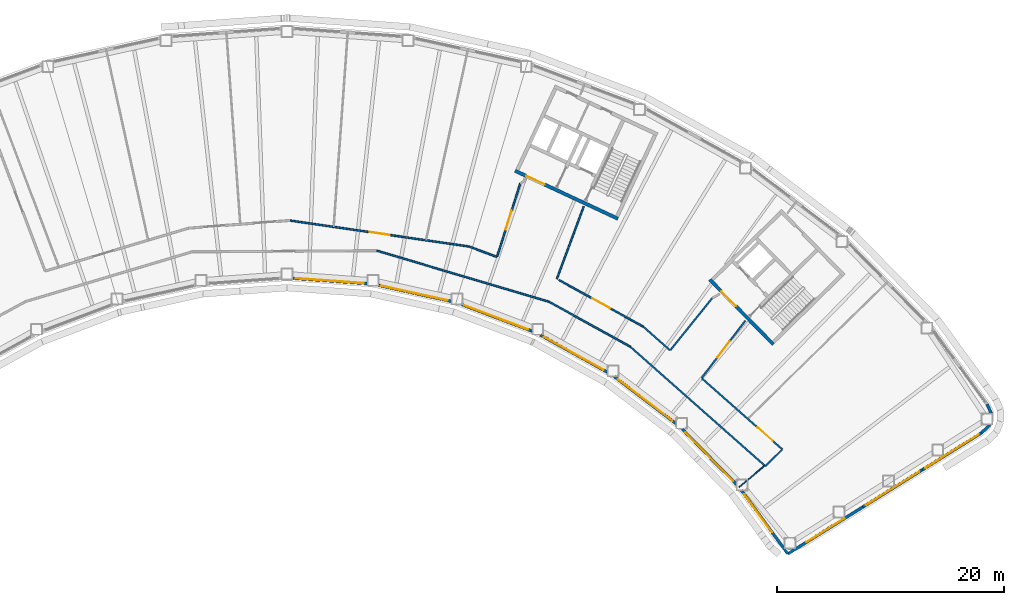
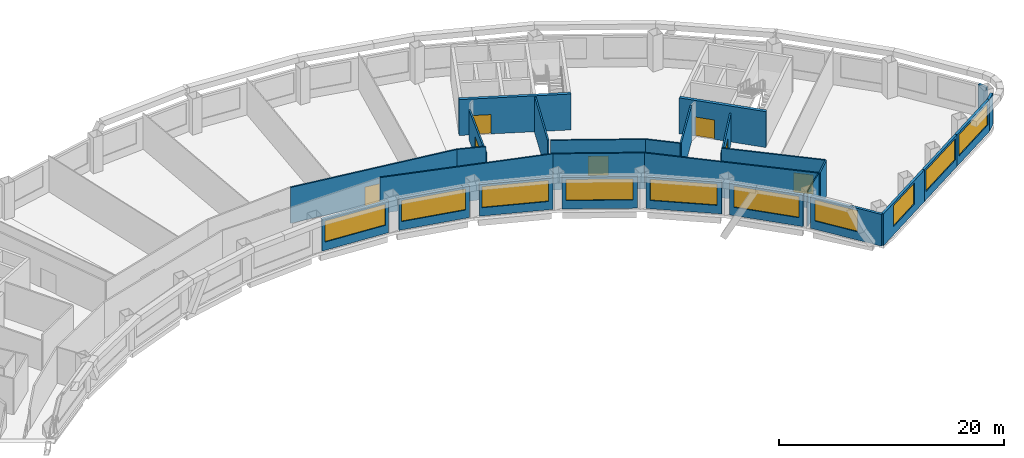
# One storey, part 6 of 11: 28 walls, 10 windows, 7 doors, 17 openings.
"""IFC4 building model written with IfcOpenShell, lengths in metres."""

from ifc_helpers import new_model, si_unit, direction, frame, frame_2d, origin, place, context, subcontext, project, spatial, rectangle, extrude, material, layer, layer_set, type_object, element, fill, save


model = new_model("IFC4")

# Units and contexts
model_context = context("Model", 3, precision=1e-05, world=origin(), true_north=direction((0.0, 1.0)))
body_context = subcontext(model_context, "Body", "Model", "MODEL_VIEW")
ifc_project = project(units=[si_unit("LENGTHUNIT", "METRE"), si_unit("AREAUNIT", "SQUARE_METRE"), si_unit("VOLUMEUNIT", "CUBIC_METRE"), si_unit("PLANEANGLEUNIT", "RADIAN"), si_unit("MASSUNIT", "GRAM", prefix="KILO")], contexts=[model_context])

# Site, building, storey
site_placement = place(None, origin())
site = spatial("IfcSite", under=ifc_project, at=site_placement, CompositionType="ELEMENT")
building_placement = place(site_placement, origin())
building = spatial("IfcBuilding", under=site, at=building_placement, Name="Tuul Gate Civic Tower", CompositionType="ELEMENT")
storey_placement = place(building_placement, frame((0.0, 0.0, 159.199951171875)))
storey = spatial("IfcBuildingStorey", under=building, at=storey_placement, Name="Level 36", CompositionType="ELEMENT", Elevation=159.199951171875)

# Wall, opening, door
ifc_material_1 = material(Name="Concrete C50/60", Category="concrete")
ifc_layer_1 = layer(ifc_material_1, 0.300048828125)
ifc_layer_set_1 = layer_set([ifc_layer_1], Name="Concrete C50/60")
wall_type_1 = type_object("IfcWallType", Name="Core wall C50/60", PredefinedType="SHEAR", material=ifc_layer_set_1)
wall_1_placement = place(storey_placement, frame((48.22509765625, -18.327880859375, 0.0), z_axis=(0.0, 0.0, 1.0), x_axis=(-0.700021979774, 0.714121297703, 0.0)))
wall_1 = element("IfcWall", 1, at=wall_1_placement, inside=storey, type_object=wall_type_1, Name="Core wall", PredefinedType="SHEAR", context=body_context, shape_type="SweptSolid", body=[
    extrude(rectangle(XDim=8.0, YDim=0.300048828125, at=frame_2d((4.0, 0.0))), origin(), (0.0, 0.0, 1.0), 3.900146484375),
])
opening_1_placement = place(wall_1_placement, frame((4.72509765625, 0.0, 0.0)))
opening_1 = element("IfcOpeningElement", 2, at=opening_1_placement, cuts=wall_1, Name="Opening LB-E1-LOBBY-1", PredefinedType="OPENING", context=body_context, shape_type="SweptSolid", body=[
    extrude(rectangle(XDim=1.800048828125, YDim=2.10009765625, at=frame_2d((0.89990234375, 1.050048828125))), frame((0.0, 0.16015625, 0.0), z_axis=(0.0, -1.0, 0.0), x_axis=(1.0, 0.0, 0.0)), (0.0, 0.0, 1.0), 0.320068359375),
])
ifc_material_2 = material(Name="Steel", Category="steel")
door_type_1 = type_object("IfcDoorType", Name="Lobby door", OperationType="DOUBLE_DOOR_SINGLE_SWING", PredefinedType="DOOR", material=ifc_material_2)
door_1_placement = place(opening_1_placement, frame((1.800048828125, 0.0, 0.0), z_axis=(0.0, 0.0, 1.0), x_axis=(-1.0, 0.0, 0.0)))
door_1 = element("IfcDoor", 3, at=door_1_placement, inside=storey, type_object=door_type_1, Name="Lobby door E1-LOBBY", OperationType="DOUBLE_DOOR_SINGLE_SWING", OverallHeight=2.10009765625, OverallWidth=1.800048828125, PredefinedType="DOOR", context=body_context, shape_type="SweptSolid", body=[
    extrude(rectangle(XDim=1.800048828125, YDim=2.10009765625, at=frame_2d((0.900146484375, 1.050048828125))), frame((0.0, 0.02490234375, 0.0), z_axis=(0.0, -1.0, 0.0), x_axis=(1.0, 0.0, 0.0)), (0.0, 0.0, 1.0), 0.050048828125),
])
fill(opening_1, door_1)

wall_2_placement = place(storey_placement, frame((34.5283203125, -7.25, 0.0), z_axis=(0.0, 0.0, 1.0), x_axis=(-0.906310338845, 0.422612789327, 0.0)))
wall_2 = element("IfcWall", 4, at=wall_2_placement, inside=storey, type_object=wall_type_1, Name="Core wall", PredefinedType="SHEAR", context=body_context, shape_type="SweptSolid", body=[
    extrude(rectangle(XDim=9.999755859375, YDim=0.300048828125, at=frame_2d((5.0, 0.0))), origin(), (0.0, 0.0, 1.0), 3.900146484375),
])
opening_2_placement = place(wall_2_placement, frame((7.125, 0.0, 0.0)))
opening_2 = element("IfcOpeningElement", 5, at=opening_2_placement, cuts=wall_2, Name="Opening LB-E3-LOBBY-1", PredefinedType="OPENING", context=body_context, shape_type="SweptSolid", body=[
    extrude(rectangle(XDim=1.800048828125, YDim=2.10009765625, at=frame_2d((0.89990234375, 1.050048828125))), frame((0.0, 0.16015625, 0.0), z_axis=(0.0, -1.0, 0.0), x_axis=(1.0, 0.0, 0.0)), (0.0, 0.0, 1.0), 0.320068359375),
])
door_2_placement = place(opening_2_placement, frame((1.800048828125, 0.0, 0.0), z_axis=(0.0, 0.0, 1.0), x_axis=(-1.0, 0.0, 0.0)))
door_2 = element("IfcDoor", 6, at=door_2_placement, inside=storey, type_object=door_type_1, Name="Lobby door E3-LOBBY", OperationType="DOUBLE_DOOR_SINGLE_SWING", OverallHeight=2.10009765625, OverallWidth=1.800048828125, PredefinedType="DOOR", context=body_context, shape_type="SweptSolid", body=[
    extrude(rectangle(XDim=1.800048828125, YDim=2.10009765625, at=frame_2d((0.900146484375, 1.050048828125))), frame((0.0, 0.02490234375, 0.0), z_axis=(0.0, -1.0, 0.0), x_axis=(1.0, 0.0, 0.0)), (0.0, 0.0, 1.0), 0.050048828125),
])
fill(opening_2, door_2)

# Walls
ifc_material_3 = material(Name="Gypsum board partition")
ifc_layer_2 = layer(ifc_material_3, 0.14990234375)
ifc_layer_set_2 = layer_set([ifc_layer_2], Name="Gypsum board partition")
wall_type_2 = type_object("IfcWallType", Name="Corridor wall P150", PredefinedType="PARTITIONING", material=ifc_layer_set_2)
wall_3_placement = place(storey_placement, frame((35.603759765625, -18.517578125, 0.0), z_axis=(0.0, 0.0, 1.0), x_axis=(0.749292763944, -0.662238894887, 0.0)))
element("IfcWall", 7, at=wall_3_placement, inside=storey, type_object=wall_type_2, Name="p003", PredefinedType="PARTITIONING", context=body_context, shape_type="SweptSolid", body=[
    extrude(rectangle(XDim=15.9013671875, YDim=0.14990234375, at=frame_2d((7.95068359375, 0.0))), origin(), (0.0, 0.0, 1.0), 3.900146484375),
])
wall_4_placement = place(storey_placement, frame((47.5185546875, -29.048095703125, 0.0), z_axis=(0.0, 0.0, 1.0), x_axis=(0.71162637718, 0.702558110978, 0.0)))
element("IfcWall", 8, at=wall_4_placement, inside=storey, type_object=wall_type_2, Name="p004", PredefinedType="PARTITIONING", context=body_context, shape_type="SweptSolid", body=[
    extrude(rectangle(XDim=2.099853515625, YDim=0.14990234375, at=frame_2d((1.0498046875, 0.0))), origin(), (0.0, 0.0, 1.0), 3.900146484375),
])
wall_5_placement = place(storey_placement, frame((36.755615234375, -16.755126953125, 0.0), z_axis=(0.0, 0.0, 1.0), x_axis=(0.749728970653, -0.661745019297, 0.0)))
element("IfcWall", 9, at=wall_5_placement, inside=storey, type_object=wall_type_2, Name="p005", PredefinedType="PARTITIONING", context=body_context, shape_type="SweptSolid", body=[
    extrude(rectangle(XDim=3.14111328125, YDim=0.14990234375, at=frame_2d((1.570556640625, 0.0))), origin(), (0.0, 0.0, 1.0), 3.900146484375),
])

# Wall, opening, door
wall_6_placement = place(storey_placement, frame((41.91015625, -21.30419921875, 0.0), z_axis=(0.0, 0.0, 1.0), x_axis=(0.74976489893, -0.661704311859, 0.0)))
wall_6 = element("IfcWall", 10, at=wall_6_placement, inside=storey, type_object=wall_type_2, Name="p006", PredefinedType="PARTITIONING", context=body_context, shape_type="SweptSolid", body=[
    extrude(rectangle(XDim=9.473388671875, YDim=0.14990234375, at=frame_2d((4.73681640625, 0.0))), origin(), (0.0, 0.0, 1.0), 3.900146484375),
])
opening_3_placement = place(wall_6_placement, frame((6.538818359375, 0.0, 0.0)))
opening_3 = element("IfcOpeningElement", 11, at=opening_3_placement, cuts=wall_6, Name="Opening M-D01", PredefinedType="OPENING", context=body_context, shape_type="SweptSolid", body=[
    extrude(rectangle(XDim=1.800048828125, YDim=2.10009765625, at=frame_2d((0.89990234375, 1.050048828125))), frame((0.0, 0.0849609375, 0.0), z_axis=(0.0, -1.0, 0.0), x_axis=(1.0, 0.0, 0.0)), (0.0, 0.0, 1.0), 0.169921875),
])
ifc_material_4 = material(Name="Timber door leaf, double", Category="wood")
door_type_2 = type_object("IfcDoorType", Name="Door D18", OperationType="DOUBLE_DOOR_SINGLE_SWING", PredefinedType="DOOR", material=ifc_material_4)
door_3_placement = place(opening_3_placement, origin())
door_3 = element("IfcDoor", 12, at=door_3_placement, inside=storey, type_object=door_type_2, Name="Door M-D01", OperationType="DOUBLE_DOOR_SINGLE_SWING", OverallHeight=2.10009765625, OverallWidth=1.800048828125, PredefinedType="DOOR", context=body_context, shape_type="SweptSolid", body=[
    extrude(rectangle(XDim=1.800048828125, YDim=2.10009765625, at=frame_2d((0.89990234375, 1.050048828125))), frame((0.0, 0.02490234375, 0.0), z_axis=(0.0, -1.0, 0.0), x_axis=(1.0, 0.0, 0.0)), (0.0, 0.0, 1.0), 0.050048828125),
])
fill(opening_3, door_3)

# Walls
wall_7_placement = place(storey_placement, frame((21.3896484375, -9.6923828125, 0.0), z_axis=(0.0, 0.0, 1.0), x_axis=(0.937205585991, -0.34877742127, 0.0)))
element("IfcWall", 13, at=wall_7_placement, inside=storey, type_object=wall_type_2, Name="p010", PredefinedType="PARTITIONING", context=body_context, shape_type="SweptSolid", body=[
    extrude(rectangle(XDim=2.624267578125, YDim=0.14990234375, at=frame_2d((1.31201171875, 0.0))), origin(), (0.0, 0.0, 1.0), 3.900146484375),
])
wall_8_placement = place(storey_placement, frame((29.14208984375, -12.554931640625, 0.0), z_axis=(0.0, 0.0, 1.0), x_axis=(0.348381961378, 0.937352659881, 0.0)))
element("IfcWall", 14, at=wall_8_placement, inside=storey, type_object=wall_type_2, Name="p011", PredefinedType="PARTITIONING", context=body_context, shape_type="SweptSolid", body=[
    extrude(rectangle(XDim=6.805908203125, YDim=0.14990234375, at=frame_2d((3.40283203125, 0.0))), origin(), (0.0, 0.0, 1.0), 3.900146484375),
])
wall_9_placement = place(storey_placement, frame((39.140625, -18.831298828125, 0.0), z_axis=(0.0, 0.0, 1.0), x_axis=(0.627319818976, 0.778761738094, 0.0)))
element("IfcWall", 15, at=wall_9_placement, inside=storey, type_object=wall_type_2, Name="p013", PredefinedType="PARTITIONING", context=body_context, shape_type="SweptSolid", body=[
    extrude(rectangle(XDim=5.924560546875, YDim=0.14990234375, at=frame_2d((2.96240234375, 0.0))), origin(), (0.0, 0.0, 1.0), 3.900146484375),
])

# Wall, opening, door
wall_10_placement = place(storey_placement, frame((29.334228515625, -12.648193359375, 0.0), z_axis=(0.0, 0.0, 1.0), x_axis=(0.874959843626, -0.484195489489, 0.0)))
wall_10 = element("IfcWall", 16, at=wall_10_placement, inside=storey, type_object=wall_type_2, Name="p014", PredefinedType="PARTITIONING", context=body_context, shape_type="SweptSolid", body=[
    extrude(rectangle(XDim=8.48193359375, YDim=0.14990234375, at=frame_2d((4.240966796875, 0.0))), origin(), (0.0, 0.0, 1.0), 3.900146484375),
])
opening_4_placement = place(wall_10_placement, frame((3.3408203125, 0.0, 0.0)))
opening_4 = element("IfcOpeningElement", 17, at=opening_4_placement, cuts=wall_10, Name="Opening M-D03", PredefinedType="OPENING", context=body_context, shape_type="SweptSolid", body=[
    extrude(rectangle(XDim=1.800048828125, YDim=2.10009765625, at=frame_2d((0.89990234375, 1.050048828125))), frame((0.0, 0.0849609375, 0.0), z_axis=(0.0, -1.0, 0.0), x_axis=(1.0, 0.0, 0.0)), (0.0, 0.0, 1.0), 0.169921875),
])
door_4_placement = place(opening_4_placement, origin())
door_4 = element("IfcDoor", 18, at=door_4_placement, inside=storey, type_object=door_type_2, Name="Door M-D03", OperationType="DOUBLE_DOOR_SINGLE_SWING", OverallHeight=2.10009765625, OverallWidth=1.800048828125, PredefinedType="DOOR", context=body_context, shape_type="SweptSolid", body=[
    extrude(rectangle(XDim=1.800048828125, YDim=2.10009765625, at=frame_2d((0.89990234375, 1.050048828125))), frame((0.0, 0.02490234375, 0.0), z_axis=(0.0, -1.0, 0.0), x_axis=(1.0, 0.0, 0.0)), (0.0, 0.0, 1.0), 0.050048828125),
])
fill(opening_4, door_4)

wall_11_placement = place(storey_placement, frame((5.618408203125, -7.40478515625, 0.0), z_axis=(0.0, 0.0, 1.0), x_axis=(0.989620181585, -0.143707676205, 0.0)))
wall_11 = element("IfcWall", 19, at=wall_11_placement, inside=storey, type_object=wall_type_2, Name="p018", PredefinedType="PARTITIONING", context=body_context, shape_type="SweptSolid", body=[
    extrude(rectangle(XDim=15.93359375, YDim=0.14990234375, at=frame_2d((7.966796875, 0.0))), origin(), (0.0, 0.0, 1.0), 3.900146484375),
])
opening_5_placement = place(wall_11_placement, frame((7.1103515625, 0.0, 0.0)))
opening_5 = element("IfcOpeningElement", 20, at=opening_5_placement, cuts=wall_11, Name="Opening M-D05", PredefinedType="OPENING", context=body_context, shape_type="SweptSolid", body=[
    extrude(rectangle(XDim=1.800048828125, YDim=2.10009765625, at=frame_2d((0.89990234375, 1.050048828125))), frame((0.0, 0.0849609375, 0.0), z_axis=(0.0, -1.0, 0.0), x_axis=(1.0, 0.0, 0.0)), (0.0, 0.0, 1.0), 0.169921875),
])
door_5_placement = place(opening_5_placement, origin())
door_5 = element("IfcDoor", 21, at=door_5_placement, inside=storey, type_object=door_type_2, Name="Door M-D05", OperationType="DOUBLE_DOOR_SINGLE_SWING", OverallHeight=2.10009765625, OverallWidth=1.800048828125, PredefinedType="DOOR", context=body_context, shape_type="SweptSolid", body=[
    extrude(rectangle(XDim=1.800048828125, YDim=2.10009765625, at=frame_2d((0.89990234375, 1.050048828125))), frame((0.0, 0.02490234375, 0.0), z_axis=(0.0, -1.0, 0.0), x_axis=(1.0, 0.0, 0.0)), (0.0, 0.0, 1.0), 0.050048828125),
])
fill(opening_5, door_5)

# Walls
wall_12_placement = place(storey_placement, frame((13.28662109375, -10.06591796875, 0.0), z_axis=(0.0, 0.0, 1.0), x_axis=(0.958768217099, -0.284189207888, 0.0)))
element("IfcWall", 22, at=wall_12_placement, inside=storey, type_object=wall_type_2, Name="p055", PredefinedType="PARTITIONING", context=body_context, shape_type="SweptSolid", body=[
    extrude(rectangle(XDim=15.82080078125, YDim=0.14990234375, at=frame_2d((7.910400390625, 0.0))), origin(), (0.0, 0.0, 1.0), 3.900146484375),
])
wall_13_placement = place(storey_placement, frame((28.455078125, -14.56201171875, 0.0), z_axis=(0.0, 0.0, 1.0), x_axis=(0.874963744248, -0.484188440849, 0.0)))
element("IfcWall", 23, at=wall_13_placement, inside=storey, type_object=wall_type_2, Name="p056", PredefinedType="PARTITIONING", context=body_context, shape_type="SweptSolid", body=[
    extrude(rectangle(XDim=8.169921875, YDim=0.14990234375, at=frame_2d((4.0849609375, 0.0))), origin(), (0.0, 0.0, 1.0), 3.900146484375),
])

# Wall, opening, door
ifc_material_5 = material(Name="Gypsum board partition")
ifc_layer_3 = layer(ifc_material_5, 0.14990234375)
ifc_layer_set_3 = layer_set([ifc_layer_3], Name="Gypsum board partition")
wall_type_3 = type_object("IfcWallType", Name="Corridor wall P150 3250 HIGH", PredefinedType="PARTITIONING", material=ifc_layer_set_3)
wall_14_placement = place(storey_placement, frame((41.9072265625, -21.27587890625, 0.0), z_axis=(0.0, 0.0, 1.0), x_axis=(0.605793761473, 0.795621718256, 0.0)))
wall_14 = element("IfcWall", 24, at=wall_14_placement, inside=storey, type_object=wall_type_3, Name="p008", PredefinedType="PARTITIONING", context=body_context, shape_type="SweptSolid", body=[
    extrude(rectangle(XDim=6.340576171875, YDim=0.14990234375, at=frame_2d((3.17041015625, 0.0))), origin(), (0.0, 0.0, 1.0), 3.25),
])
opening_6_placement = place(wall_14_placement, frame((2.270263671875, 0.0, 0.0)))
opening_6 = element("IfcOpeningElement", 25, at=opening_6_placement, cuts=wall_14, Name="Opening M-D02", PredefinedType="OPENING", context=body_context, shape_type="SweptSolid", body=[
    extrude(rectangle(XDim=1.800048828125, YDim=2.10009765625, at=frame_2d((0.89990234375, 1.050048828125))), frame((0.0, 0.0849609375, 0.0), z_axis=(0.0, -1.0, 0.0), x_axis=(1.0, 0.0, 0.0)), (0.0, 0.0, 1.0), 0.169921875),
])
door_6_placement = place(opening_6_placement, frame((1.800048828125, 0.0, 0.0), z_axis=(0.0, 0.0, 1.0), x_axis=(-1.0, 0.0, 0.0)))
door_6 = element("IfcDoor", 26, at=door_6_placement, inside=storey, type_object=door_type_2, Name="Door M-D02", OperationType="DOUBLE_DOOR_SINGLE_SWING", OverallHeight=2.10009765625, OverallWidth=1.800048828125, PredefinedType="DOOR", context=body_context, shape_type="SweptSolid", body=[
    extrude(rectangle(XDim=1.800048828125, YDim=2.10009765625, at=frame_2d((0.900146484375, 1.050048828125))), frame((0.0, 0.02490234375, 0.0), z_axis=(0.0, -1.0, 0.0), x_axis=(1.0, 0.0, 0.0)), (0.0, 0.0, 1.0), 0.050048828125),
])
fill(opening_6, door_6)

wall_15_placement = place(storey_placement, frame((23.87548828125, -10.596435546875, 0.0), z_axis=(0.0, 0.0, 1.0), x_axis=(0.302123034853, 0.953268939917, 0.0)))
wall_15 = element("IfcWall", 27, at=wall_15_placement, inside=storey, type_object=wall_type_3, Name="p017", PredefinedType="PARTITIONING", context=body_context, shape_type="SweptSolid", body=[
    extrude(rectangle(XDim=6.761962890625, YDim=0.14990234375, at=frame_2d((3.380859375, 0.0))), origin(), (0.0, 0.0, 1.0), 3.25),
])
opening_7_placement = place(wall_15_placement, frame((2.481201171875, 0.0, 0.0)))
opening_7 = element("IfcOpeningElement", 28, at=opening_7_placement, cuts=wall_15, Name="Opening M-D04", PredefinedType="OPENING", context=body_context, shape_type="SweptSolid", body=[
    extrude(rectangle(XDim=1.800048828125, YDim=2.10009765625, at=frame_2d((0.89990234375, 1.050048828125))), frame((0.0, 0.0849609375, 0.0), z_axis=(0.0, -1.0, 0.0), x_axis=(1.0, 0.0, 0.0)), (0.0, 0.0, 1.0), 0.169921875),
])
door_7_placement = place(opening_7_placement, origin())
door_7 = element("IfcDoor", 29, at=door_7_placement, inside=storey, type_object=door_type_2, Name="Door M-D04", OperationType="DOUBLE_DOOR_SINGLE_SWING", OverallHeight=2.10009765625, OverallWidth=1.800048828125, PredefinedType="DOOR", context=body_context, shape_type="SweptSolid", body=[
    extrude(rectangle(XDim=1.800048828125, YDim=2.10009765625, at=frame_2d((0.89990234375, 1.050048828125))), frame((0.0, 0.02490234375, 0.0), z_axis=(0.0, -1.0, 0.0), x_axis=(1.0, 0.0, 0.0)), (0.0, 0.0, 1.0), 0.050048828125),
])
fill(opening_7, door_7)

# Walls
ifc_material_6 = material(Name="Precast concrete C40/50", Category="concrete")
ifc_layer_4 = layer(ifc_material_6, 0.25)
ifc_layer_set_4 = layer_set([ifc_layer_4], Name="Precast concrete C40/50")
wall_type_4 = type_object("IfcWallType", Name="External wall", PredefinedType="STANDARD", material=ifc_layer_set_4)
wall_16_placement = place(storey_placement, frame((66.564453125, -26.109619140625, 0.0), z_axis=(0.0, 0.0, 1.0), x_axis=(0.722224898846, 0.691658293875, 0.0)))
element("IfcWall", 30, at=wall_16_placement, inside=storey, type_object=wall_type_4, Name="External wall", PredefinedType="STANDARD", context=body_context, shape_type="SweptSolid", body=[
    extrude(rectangle(XDim=1.0302734375, YDim=0.25, at=frame_2d((0.51513671875, 0.0))), origin(), (0.0, 0.0, 1.0), 3.449951171875),
])
wall_17_placement = place(storey_placement, frame((67.416015625, -24.39697265625, 0.0), z_axis=(0.0, 0.0, 1.0), x_axis=(-0.41355333093, 0.9104798968, 0.0)))
element("IfcWall", 31, at=wall_17_placement, inside=storey, type_object=wall_type_4, Name="External wall", PredefinedType="STANDARD", context=body_context, shape_type="SweptSolid", body=[
    extrude(rectangle(XDim=0.88427734375, YDim=0.25, at=frame_2d((0.442138671875, 0.0))), origin(), (0.0, 0.0, 1.0), 3.449951171875),
])

# Wall, opening, window
wall_18_placement = place(storey_placement, frame((5.8740234375, -12.48583984375, 0.0), z_axis=(0.0, 0.0, 1.0), x_axis=(0.997383866909, -0.072287080662, 0.0)))
wall_18 = element("IfcWall", 32, at=wall_18_placement, inside=storey, type_object=wall_type_4, Name="External wall", PredefinedType="STANDARD", context=body_context, shape_type="SweptSolid", body=[
    extrude(rectangle(XDim=6.58935546875, YDim=0.25, at=frame_2d((3.294677734375, 0.0))), origin(), (0.0, 0.0, 1.0), 3.449951171875),
])
opening_8_placement = place(wall_18_placement, frame((0.27099609375, 0.0, 0.89990234375)))
opening_8 = element("IfcOpeningElement", 33, at=opening_8_placement, cuts=wall_18, Name="Opening W26", PredefinedType="OPENING", context=body_context, shape_type="SweptSolid", body=[
    extrude(rectangle(XDim=6.0, YDim=2.300048828125, at=frame_2d((3.0, 1.14990234375))), frame((0.0, 0.135009765625, 0.0), z_axis=(0.0, -1.0, 0.0), x_axis=(1.0, 0.0, 0.0)), (0.0, 0.0, 1.0), 0.27001953125),
])
ifc_material_7 = material(Name="Glass", Category="glass")
window_type_1 = type_object("IfcWindowType", Name="Window W26 6000 x 2300", PartitioningType="SINGLE_PANEL", PredefinedType="WINDOW", material=ifc_material_7)
window_1_placement = place(opening_8_placement, origin())
window_1 = element("IfcWindow", 34, at=window_1_placement, inside=storey, type_object=window_type_1, Name="Window", OverallHeight=2.300048828125, OverallWidth=6.0, PartitioningType="SINGLE_PANEL", PredefinedType="WINDOW", context=body_context, shape_type="SweptSolid", body=[
    extrude(rectangle(XDim=6.0, YDim=2.300048828125, at=frame_2d((3.0, 1.14990234375))), frame((0.0, 0.030029296875, 0.0), z_axis=(0.0, -1.0, 0.0), x_axis=(1.0, 0.0, 0.0)), (0.0, 0.0, 1.0), 0.06005859375),
])
fill(opening_8, window_1)

wall_19_placement = place(storey_placement, frame((13.446044921875, -13.115478515625, 0.0), z_axis=(0.0, 0.0, 1.0), x_axis=(0.976557337415, -0.215257442942, 0.0)))
wall_19 = element("IfcWall", 35, at=wall_19_placement, inside=storey, type_object=wall_type_4, Name="External wall", PredefinedType="STANDARD", context=body_context, shape_type="SweptSolid", body=[
    extrude(rectangle(XDim=6.568115234375, YDim=0.25, at=frame_2d((3.2841796875, 0.0))), origin(), (0.0, 0.0, 1.0), 3.449951171875),
])
opening_9_placement = place(wall_19_placement, frame((0.212158203125, 0.0, 0.89990234375)))
opening_9 = element("IfcOpeningElement", 36, at=opening_9_placement, cuts=wall_19, Name="Opening W26", PredefinedType="OPENING", context=body_context, shape_type="SweptSolid", body=[
    extrude(rectangle(XDim=6.0, YDim=2.300048828125, at=frame_2d((3.0, 1.14990234375))), frame((0.0, 0.135009765625, 0.0), z_axis=(0.0, -1.0, 0.0), x_axis=(1.0, 0.0, 0.0)), (0.0, 0.0, 1.0), 0.27001953125),
])
window_2_placement = place(opening_9_placement, origin())
window_2 = element("IfcWindow", 37, at=window_2_placement, inside=storey, type_object=window_type_1, Name="Window", OverallHeight=2.300048828125, OverallWidth=6.0, PartitioningType="SINGLE_PANEL", PredefinedType="WINDOW", context=body_context, shape_type="SweptSolid", body=[
    extrude(rectangle(XDim=6.0, YDim=2.300048828125, at=frame_2d((3.0, 1.14990234375))), frame((0.0, 0.030029296875, 0.0), z_axis=(0.0, -1.0, 0.0), x_axis=(1.0, 0.0, 0.0)), (0.0, 0.0, 1.0), 0.06005859375),
])
fill(opening_9, window_2)

wall_20_placement = place(storey_placement, frame((20.76416015625, -14.806884765625, 0.0), z_axis=(0.0, 0.0, 1.0), x_axis=(0.935359421998, -0.353698673562, 0.0)))
wall_20 = element("IfcWall", 38, at=wall_20_placement, inside=storey, type_object=wall_type_4, Name="External wall", PredefinedType="STANDARD", context=body_context, shape_type="SweptSolid", body=[
    extrude(rectangle(XDim=6.625, YDim=0.25, at=frame_2d((3.3125, 0.0))), origin(), (0.0, 0.0, 1.0), 3.449951171875),
])
opening_10_placement = place(wall_20_placement, frame((0.240478515625, 0.0, 0.89990234375)))
opening_10 = element("IfcOpeningElement", 39, at=opening_10_placement, cuts=wall_20, Name="Opening W26", PredefinedType="OPENING", context=body_context, shape_type="SweptSolid", body=[
    extrude(rectangle(XDim=6.0, YDim=2.300048828125, at=frame_2d((3.0, 1.14990234375))), frame((0.0, 0.135009765625, 0.0), z_axis=(0.0, -1.0, 0.0), x_axis=(1.0, 0.0, 0.0)), (0.0, 0.0, 1.0), 0.27001953125),
])
window_3_placement = place(opening_10_placement, origin())
window_3 = element("IfcWindow", 40, at=window_3_placement, inside=storey, type_object=window_type_1, Name="Window", OverallHeight=2.300048828125, OverallWidth=6.0, PartitioningType="SINGLE_PANEL", PredefinedType="WINDOW", context=body_context, shape_type="SweptSolid", body=[
    extrude(rectangle(XDim=6.0, YDim=2.300048828125, at=frame_2d((3.0, 1.14990234375))), frame((0.0, 0.030029296875, 0.0), z_axis=(0.0, -1.0, 0.0), x_axis=(1.0, 0.0, 0.0)), (0.0, 0.0, 1.0), 0.06005859375),
])
fill(opening_10, window_3)

wall_21_placement = place(storey_placement, frame((27.693115234375, -17.491943359375, 0.0), z_axis=(0.0, 0.0, 1.0), x_axis=(0.874615488592, -0.484817230628, 0.0)))
wall_21 = element("IfcWall", 41, at=wall_21_placement, inside=storey, type_object=wall_type_4, Name="External wall", PredefinedType="STANDARD", context=body_context, shape_type="SweptSolid", body=[
    extrude(rectangle(XDim=6.7548828125, YDim=0.25, at=frame_2d((3.37744140625, 0.0))), origin(), (0.0, 0.0, 1.0), 3.449951171875),
])
opening_11_placement = place(wall_21_placement, frame((0.35009765625, 0.0, 0.89990234375)))
opening_11 = element("IfcOpeningElement", 42, at=opening_11_placement, cuts=wall_21, Name="Opening W26", PredefinedType="OPENING", context=body_context, shape_type="SweptSolid", body=[
    extrude(rectangle(XDim=6.0, YDim=2.300048828125, at=frame_2d((3.0, 1.14990234375))), frame((0.0, 0.135009765625, 0.0), z_axis=(0.0, -1.0, 0.0), x_axis=(1.0, 0.0, 0.0)), (0.0, 0.0, 1.0), 0.27001953125),
])
window_4_placement = place(opening_11_placement, origin())
window_4 = element("IfcWindow", 43, at=window_4_placement, inside=storey, type_object=window_type_1, Name="Window", OverallHeight=2.300048828125, OverallWidth=6.0, PartitioningType="SINGLE_PANEL", PredefinedType="WINDOW", context=body_context, shape_type="SweptSolid", body=[
    extrude(rectangle(XDim=6.0, YDim=2.300048828125, at=frame_2d((3.0, 1.14990234375))), frame((0.0, 0.030029296875, 0.0), z_axis=(0.0, -1.0, 0.0), x_axis=(1.0, 0.0, 0.0)), (0.0, 0.0, 1.0), 0.06005859375),
])
fill(opening_11, window_4)

wall_22_placement = place(storey_placement, frame((34.220458984375, -21.172119140625, 0.0), z_axis=(0.0, 0.0, 1.0), x_axis=(0.795597025415, -0.605826190546, 0.0)))
wall_22 = element("IfcWall", 44, at=wall_22_placement, inside=storey, type_object=wall_type_4, Name="External wall", PredefinedType="STANDARD", context=body_context, shape_type="SweptSolid", body=[
    extrude(rectangle(XDim=6.813232421875, YDim=0.25, at=frame_2d((3.40673828125, 0.0))), origin(), (0.0, 0.0, 1.0), 3.449951171875),
])
opening_12_placement = place(wall_22_placement, frame((0.397705078125, 0.0, 0.89990234375)))
opening_12 = element("IfcOpeningElement", 45, at=opening_12_placement, cuts=wall_22, Name="Opening W26", PredefinedType="OPENING", context=body_context, shape_type="SweptSolid", body=[
    extrude(rectangle(XDim=6.0, YDim=2.300048828125, at=frame_2d((3.0, 1.14990234375))), frame((0.0, 0.135009765625, 0.0), z_axis=(0.0, -1.0, 0.0), x_axis=(1.0, 0.0, 0.0)), (0.0, 0.0, 1.0), 0.27001953125),
])
window_5_placement = place(opening_12_placement, origin())
window_5 = element("IfcWindow", 46, at=window_5_placement, inside=storey, type_object=window_type_1, Name="Window", OverallHeight=2.300048828125, OverallWidth=6.0, PartitioningType="SINGLE_PANEL", PredefinedType="WINDOW", context=body_context, shape_type="SweptSolid", body=[
    extrude(rectangle(XDim=6.0, YDim=2.300048828125, at=frame_2d((3.0, 1.14990234375))), frame((0.0, 0.030029296875, 0.0), z_axis=(0.0, -1.0, 0.0), x_axis=(1.0, 0.0, 0.0)), (0.0, 0.0, 1.0), 0.06005859375),
])
fill(opening_12, window_5)

wall_23_placement = place(storey_placement, frame((40.1748046875, -25.77099609375, 0.0), z_axis=(0.0, 0.0, 1.0), x_axis=(0.700046388208, -0.714097370361, 0.0)))
wall_23 = element("IfcWall", 47, at=wall_23_placement, inside=storey, type_object=wall_type_4, Name="External wall", PredefinedType="STANDARD", context=body_context, shape_type="SweptSolid", body=[
    extrude(rectangle(XDim=6.82861328125, YDim=0.25, at=frame_2d((3.414306640625, 0.0))), origin(), (0.0, 0.0, 1.0), 3.449951171875),
])
opening_13_placement = place(wall_23_placement, frame((0.41552734375, 0.0, 0.89990234375)))
opening_13 = element("IfcOpeningElement", 48, at=opening_13_placement, cuts=wall_23, Name="Opening W26", PredefinedType="OPENING", context=body_context, shape_type="SweptSolid", body=[
    extrude(rectangle(XDim=6.0, YDim=2.300048828125, at=frame_2d((3.0, 1.14990234375))), frame((0.0, 0.135009765625, 0.0), z_axis=(0.0, -1.0, 0.0), x_axis=(1.0, 0.0, 0.0)), (0.0, 0.0, 1.0), 0.27001953125),
])
window_6_placement = place(opening_13_placement, origin())
window_6 = element("IfcWindow", 49, at=window_6_placement, inside=storey, type_object=window_type_1, Name="Window", OverallHeight=2.300048828125, OverallWidth=6.0, PartitioningType="SINGLE_PANEL", PredefinedType="WINDOW", context=body_context, shape_type="SweptSolid", body=[
    extrude(rectangle(XDim=6.0, YDim=2.300048828125, at=frame_2d((3.0, 1.14990234375))), frame((0.0, 0.030029296875, 0.0), z_axis=(0.0, -1.0, 0.0), x_axis=(1.0, 0.0, 0.0)), (0.0, 0.0, 1.0), 0.06005859375),
])
fill(opening_13, window_6)

wall_24_placement = place(storey_placement, frame((45.417724609375, -31.193115234375, 0.0), z_axis=(0.0, 0.0, 1.0), x_axis=(0.589725122594, -0.807604036507, 0.0)))
wall_24 = element("IfcWall", 50, at=wall_24_placement, inside=storey, type_object=wall_type_4, Name="External wall", PredefinedType="STANDARD", context=body_context, shape_type="SweptSolid", body=[
    extrude(rectangle(XDim=6.910400390625, YDim=0.25, at=frame_2d((3.455078125, 0.0))), origin(), (0.0, 0.0, 1.0), 3.449951171875),
])
opening_14_placement = place(wall_24_placement, frame((0.40380859375, 0.0, 0.89990234375)))
opening_14 = element("IfcOpeningElement", 51, at=opening_14_placement, cuts=wall_24, Name="Opening W25", PredefinedType="OPENING", context=body_context, shape_type="SweptSolid", body=[
    extrude(rectangle(XDim=4.14990234375, YDim=2.300048828125, at=frame_2d((2.074951171875, 1.14990234375))), frame((0.0, 0.135009765625, 0.0), z_axis=(0.0, -1.0, 0.0), x_axis=(1.0, 0.0, 0.0)), (0.0, 0.0, 1.0), 0.27001953125),
])
ifc_material_8 = material(Name="Glass", Category="glass")
window_type_2 = type_object("IfcWindowType", Name="Window W25 4150 x 2300", PartitioningType="SINGLE_PANEL", PredefinedType="WINDOW", material=ifc_material_8)
window_7_placement = place(opening_14_placement, origin())
window_7 = element("IfcWindow", 52, at=window_7_placement, inside=storey, type_object=window_type_2, Name="Window", OverallHeight=2.300048828125, OverallWidth=4.14990234375, PartitioningType="SINGLE_PANEL", PredefinedType="WINDOW", context=body_context, shape_type="SweptSolid", body=[
    extrude(rectangle(XDim=4.14990234375, YDim=2.300048828125, at=frame_2d((2.074951171875, 1.14990234375))), frame((0.0, 0.030029296875, 0.0), z_axis=(0.0, -1.0, 0.0), x_axis=(1.0, 0.0, 0.0)), (0.0, 0.0, 1.0), 0.06005859375),
])
fill(opening_14, window_7)

wall_25_placement = place(storey_placement, frame((49.492919921875, -36.77392578125, 0.0), z_axis=(0.0, 0.0, 1.0), x_axis=(0.848059933221, 0.529900320499, 0.0)))
wall_25 = element("IfcWall", 53, at=wall_25_placement, inside=storey, type_object=wall_type_4, Name="External wall", PredefinedType="STANDARD", context=body_context, shape_type="SweptSolid", body=[
    extrude(rectangle(XDim=7.78857421875, YDim=0.25, at=frame_2d((3.894287109375, 0.0))), origin(), (0.0, 0.0, 1.0), 3.449951171875),
])
opening_15_placement = place(wall_25_placement, frame((1.94189453125, 0.0, 0.89990234375)))
opening_15 = element("IfcOpeningElement", 54, at=opening_15_placement, cuts=wall_25, Name="Opening W113", PredefinedType="OPENING", context=body_context, shape_type="SweptSolid", body=[
    extrude(rectangle(XDim=3.949951171875, YDim=2.300048828125, at=frame_2d((1.97509765625, 1.14990234375))), frame((0.0, 0.135009765625, 0.0), z_axis=(0.0, -1.0, 0.0), x_axis=(1.0, 0.0, 0.0)), (0.0, 0.0, 1.0), 0.27001953125),
])
ifc_material_9 = material(Name="Glass", Category="glass")
window_type_3 = type_object("IfcWindowType", Name="Window W113 3950 x 2300", PartitioningType="SINGLE_PANEL", PredefinedType="WINDOW", material=ifc_material_9)
window_8_placement = place(opening_15_placement, origin())
window_8 = element("IfcWindow", 55, at=window_8_placement, inside=storey, type_object=window_type_3, Name="Window", OverallHeight=2.300048828125, OverallWidth=3.949951171875, PartitioningType="SINGLE_PANEL", PredefinedType="WINDOW", context=body_context, shape_type="SweptSolid", body=[
    extrude(rectangle(XDim=3.949951171875, YDim=2.300048828125, at=frame_2d((1.97509765625, 1.14990234375))), frame((0.0, 0.030029296875, 0.0), z_axis=(0.0, -1.0, 0.0), x_axis=(1.0, 0.0, 0.0)), (0.0, 0.0, 1.0), 0.06005859375),
])
fill(opening_15, window_8)

wall_26_placement = place(storey_placement, frame((56.09814453125, -32.646728515625, 0.0), z_axis=(0.0, 0.0, 1.0), x_axis=(0.848042669488, 0.529927948619, 0.0)))
wall_26 = element("IfcWall", 56, at=wall_26_placement, inside=storey, type_object=wall_type_4, Name="External wall", PredefinedType="STANDARD", context=body_context, shape_type="SweptSolid", body=[
    extrude(rectangle(XDim=6.1826171875, YDim=0.25, at=frame_2d((3.09130859375, 0.0))), origin(), (0.0, 0.0, 1.0), 3.449951171875),
])
opening_16_placement = place(wall_26_placement, frame((0.31640625, 0.0, 0.89990234375)))
opening_16 = element("IfcOpeningElement", 57, at=opening_16_placement, cuts=wall_26, Name="Opening W24", PredefinedType="OPENING", context=body_context, shape_type="SweptSolid", body=[
    extrude(rectangle(XDim=5.550048828125, YDim=2.300048828125, at=frame_2d((2.77490234375, 1.14990234375))), frame((0.0, 0.135009765625, 0.0), z_axis=(0.0, -1.0, 0.0), x_axis=(1.0, 0.0, 0.0)), (0.0, 0.0, 1.0), 0.27001953125),
])
ifc_material_10 = material(Name="Glass", Category="glass")
window_type_4 = type_object("IfcWindowType", Name="Window W24 5550 x 2300", PartitioningType="SINGLE_PANEL", PredefinedType="WINDOW", material=ifc_material_10)
window_9_placement = place(opening_16_placement, origin())
window_9 = element("IfcWindow", 58, at=window_9_placement, inside=storey, type_object=window_type_4, Name="Window", OverallHeight=2.300048828125, OverallWidth=5.550048828125, PartitioningType="SINGLE_PANEL", PredefinedType="WINDOW", context=body_context, shape_type="SweptSolid", body=[
    extrude(rectangle(XDim=5.550048828125, YDim=2.300048828125, at=frame_2d((2.77490234375, 1.14990234375))), frame((0.0, 0.030029296875, 0.0), z_axis=(0.0, -1.0, 0.0), x_axis=(1.0, 0.0, 0.0)), (0.0, 0.0, 1.0), 0.06005859375),
])
fill(opening_16, window_9)

wall_27_placement = place(storey_placement, frame((61.34130859375, -29.370361328125, 0.0), z_axis=(0.0, 0.0, 1.0), x_axis=(0.848053758074, 0.529910203164, 0.0)))
wall_27 = element("IfcWall", 59, at=wall_27_placement, inside=storey, type_object=wall_type_4, Name="External wall", PredefinedType="STANDARD", context=body_context, shape_type="SweptSolid", body=[
    extrude(rectangle(XDim=6.182861328125, YDim=0.25, at=frame_2d((3.09130859375, 0.0))), origin(), (0.0, 0.0, 1.0), 3.449951171875),
])
opening_17_placement = place(wall_27_placement, frame((0.31640625, 0.0, 0.89990234375)))
opening_17 = element("IfcOpeningElement", 60, at=opening_17_placement, cuts=wall_27, Name="Opening W24", PredefinedType="OPENING", context=body_context, shape_type="SweptSolid", body=[
    extrude(rectangle(XDim=5.550048828125, YDim=2.300048828125, at=frame_2d((2.77490234375, 1.14990234375))), frame((0.0, 0.135009765625, 0.0), z_axis=(0.0, -1.0, 0.0), x_axis=(1.0, 0.0, 0.0)), (0.0, 0.0, 1.0), 0.27001953125),
])
window_10_placement = place(opening_17_placement, origin())
window_10 = element("IfcWindow", 61, at=window_10_placement, inside=storey, type_object=window_type_4, Name="Window", OverallHeight=2.300048828125, OverallWidth=5.550048828125, PartitioningType="SINGLE_PANEL", PredefinedType="WINDOW", context=body_context, shape_type="SweptSolid", body=[
    extrude(rectangle(XDim=5.550048828125, YDim=2.300048828125, at=frame_2d((2.77490234375, 1.14990234375))), frame((0.0, 0.030029296875, 0.0), z_axis=(0.0, -1.0, 0.0), x_axis=(1.0, 0.0, 0.0)), (0.0, 0.0, 1.0), 0.06005859375),
])
fill(opening_17, window_10)

# Wall
ifc_material_11 = material(Name="Gypsum board partition")
ifc_layer_5 = layer(ifc_material_11, 0.10009765625)
ifc_layer_set_5 = layer_set([ifc_layer_5], Name="Gypsum board partition")
wall_type_5 = type_object("IfcWallType", Name="Partition P100", PredefinedType="PARTITIONING", material=ifc_layer_set_5)
wall_28_placement = place(storey_placement, frame((45.202392578125, -30.906982421875, 0.0), z_axis=(0.0, 0.0, 1.0), x_axis=(0.762869375217, 0.64655264005, 0.0)))
element("IfcWall", 62, at=wall_28_placement, inside=storey, type_object=wall_type_5, Name="p002", PredefinedType="PARTITIONING", context=body_context, shape_type="SweptSolid", body=[
    extrude(rectangle(XDim=2.957275390625, YDim=0.10009765625, at=frame_2d((1.478515625, 0.0))), origin(), (0.0, 0.0, 1.0), 3.900146484375),
])

save(model, "model.ifc")
